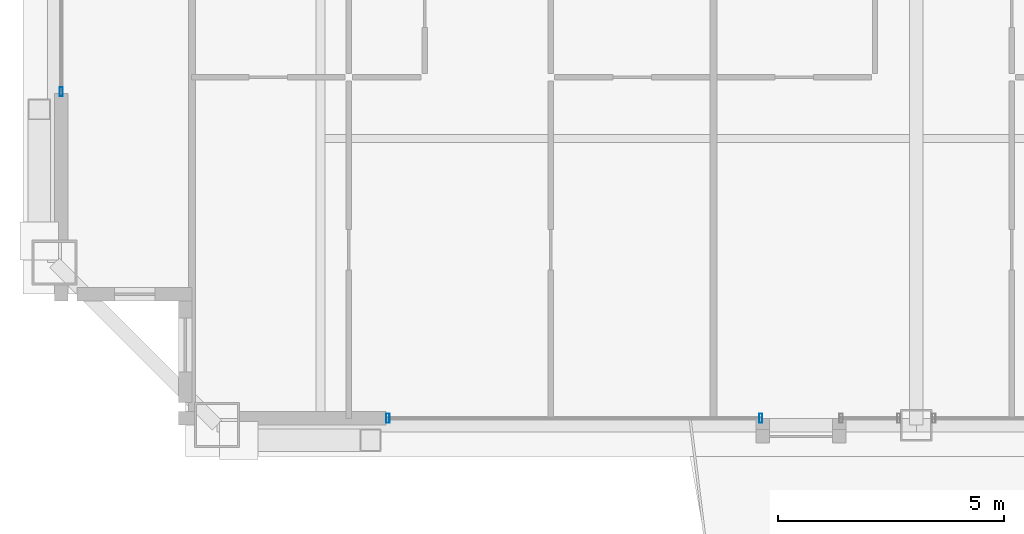
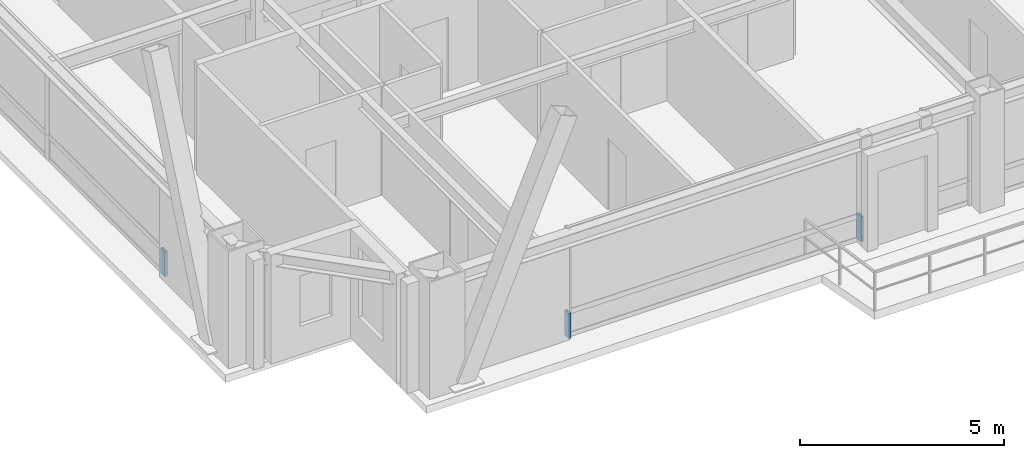
# One storey, part 20 of 35: 3 members, 2 elements without a shape of their own.
"""IFC4 building model written with IfcOpenShell, lengths in metres."""

from ifc_helpers import new_model, si_unit, direction, frame, origin, origin_2d, place, context, subcontext, project, spatial, hollow_rectangle, extrude, source, transform, mapped, material, layer, layer_set, material_profile, profile_set, type_object, element, aggregate, save


model = new_model("IFC4")

# Units and contexts
model_context = context("Model", 3, precision=1e-05, world=origin(), true_north=direction((0.0, 1.0)))
body_context = subcontext(model_context, "Body", "Model", "MODEL_VIEW")
ifc_project = project(units=[si_unit("LENGTHUNIT", "METRE"), si_unit("AREAUNIT", "SQUARE_METRE"), si_unit("VOLUMEUNIT", "CUBIC_METRE"), si_unit("PLANEANGLEUNIT", "RADIAN"), si_unit("MASSUNIT", "GRAM", prefix="KILO"), si_unit("THERMODYNAMICTEMPERATUREUNIT", "KELVIN"), si_unit("POWERUNIT", "WATT")], contexts=[model_context])

# Site, building, storey
site_placement = place(None, origin())
site = spatial("IfcSite", under=ifc_project, at=site_placement, CompositionType="ELEMENT")
building_placement = place(site_placement, origin())
building = spatial("IfcBuilding", under=site, at=building_placement, Name="Yuzanri Waterfront Tower", CompositionType="ELEMENT")
storey_placement = place(building_placement, frame((0.0, 0.0, 335.699951171875)))
storey = spatial("IfcBuildingStorey", under=building, at=storey_placement, Name="L90", CompositionType="ELEMENT", Elevation=335.699951171875)

# Curtain wall, members
ifc_material_1 = material(Name="Anodized Architectural Bronze", Category="metal")
ifc_layer = layer(ifc_material_1, 0.159912109375)
ifc_layer_set = layer_set([ifc_layer], Name="Anodized Architectural Bronze")
curtain_wall_type = type_object("IfcCurtainWallType", Name="Anodized Bronze High-Rise Penthouse High-Wind Unitized Curtain Wall 6900", PredefinedType="NOTDEFINED", material=ifc_layer_set)
curtain_wall_1_placement = place(storey_placement, origin())
curtain_wall_1 = element("IfcCurtainWall", 1, at=curtain_wall_1_placement, inside=storey, type_object=curtain_wall_type, Name="L90 Curtain Wall CW-L90-SL1", PredefinedType="NOTDEFINED")
ifc_material_2 = material(Name="Anodized Architectural Bronze", Category="metal")
ifc_material_profile = material_profile(ifc_material_2, hollow_rectangle(XDim=0.074951171875, YDim=0.199951171875, WallThickness=0.00390625, at=origin_2d()), Name="CWM 75x200")
ifc_profile_set = profile_set([ifc_material_profile], Name="Anodized Architectural Bronze")
member_type = type_object("IfcMemberType", Name="Anodized Bronze Primary Curtain-Wall Mullion 75x200", PredefinedType="MULLION", material=ifc_profile_set)
shared_shape = source(origin(), body_context, "Body", "SweptSolid", [
    extrude(hollow_rectangle(XDim=0.074951171875, YDim=0.199951171875, WallThickness=0.00390625, at=origin_2d()), origin(), (0.0, 0.0, 1.0), 0.748046875),
])
member_1_placement = place(storey_placement, frame((25.2900390625, 6.85009765625, 0.0), z_axis=(0.0, 0.0, 1.0), x_axis=(1.0, 0.0, 0.0)))
member_1 = element("IfcMember", 2, at=member_1_placement, type_object=member_type, Name="CW-L90-SL1 Lower Mullion 00", PredefinedType="MULLION", context=body_context, shape_type="MappedRepresentation", body=[
    mapped(shared_shape, transform((0.0, 0.0, 0.0), scale=1.0)),
])
member_2_placement = place(storey_placement, frame((33.552001953125, 6.85009765625, 0.0), z_axis=(0.0, 0.0, 1.0), x_axis=(1.0, 0.0, 0.0)))
member_2 = element("IfcMember", 3, at=member_2_placement, type_object=member_type, Name="CW-L90-SL1 Lower Mullion 01", PredefinedType="MULLION", context=body_context, shape_type="MappedRepresentation", body=[
    mapped(shared_shape, transform((0.0, 0.0, 0.0), scale=1.0)),
])
aggregate(curtain_wall_1, [member_1, member_2])

# Curtain wall, member
curtain_wall_2_placement = place(storey_placement, origin())
curtain_wall_2 = element("IfcCurtainWall", 4, at=curtain_wall_2_placement, inside=storey, type_object=curtain_wall_type, Name="L90 Curtain Wall CW-L90-WL", PredefinedType="NOTDEFINED")
member_3_placement = place(storey_placement, frame((18.050048828125, 14.090087890625, 0.0), z_axis=(0.0, 0.0, 1.0), x_axis=(1.0, 0.0, 0.0)))
member_3 = element("IfcMember", 5, at=member_3_placement, type_object=member_type, Name="CW-L90-WL Lower Mullion 00", PredefinedType="MULLION", context=body_context, shape_type="MappedRepresentation", body=[
    mapped(shared_shape, transform((0.0, 0.0, 0.0), scale=1.0)),
])
aggregate(curtain_wall_2, [member_3])

save(model, "model.ifc")
